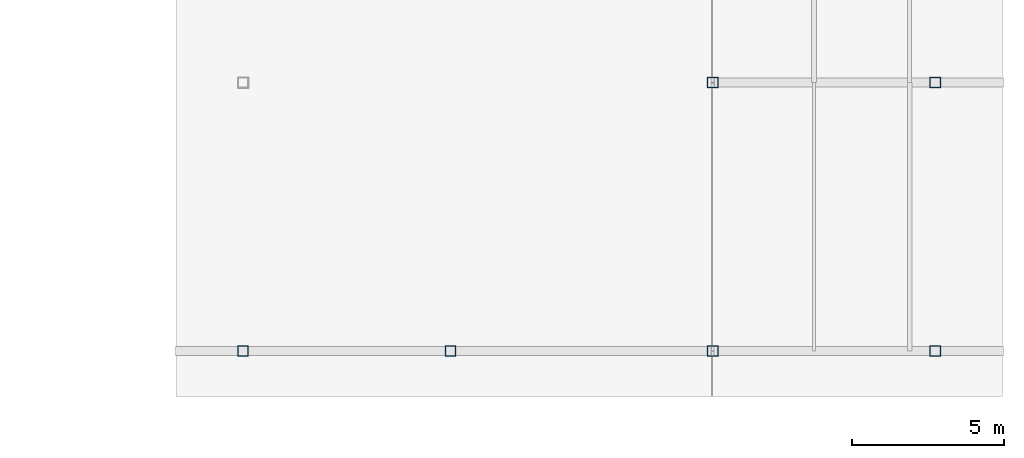
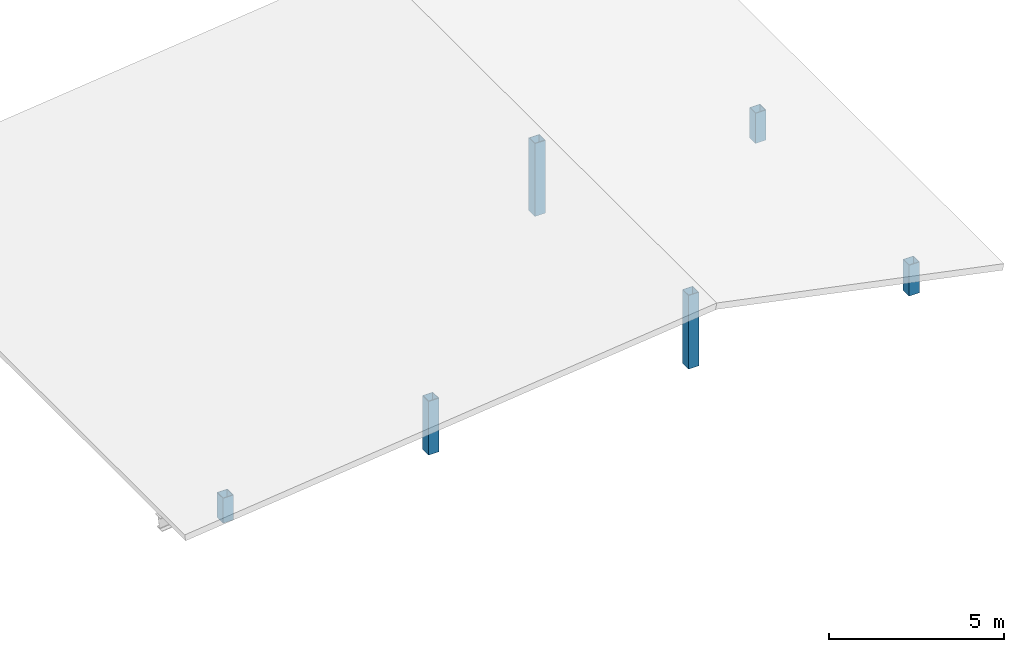
# One storey, part 2 of 27: 6 columns.
"""IFC4 building model written with IfcOpenShell, lengths in metres."""

from ifc_helpers import new_model, si_unit, direction, frame, origin, origin_2d, place, context, subcontext, project, spatial, hollow_rectangle, extrude, material, material_profile, profile_set, type_object, element, save


model = new_model("IFC4")

# Units and contexts
model_context = context("Model", 3, precision=1e-05, world=origin(), true_north=direction((0.0, 1.0)))
body_context = subcontext(model_context, "Body", "Model", "MODEL_VIEW")
ifc_project = project(units=[si_unit("LENGTHUNIT", "METRE"), si_unit("AREAUNIT", "SQUARE_METRE"), si_unit("VOLUMEUNIT", "CUBIC_METRE"), si_unit("PLANEANGLEUNIT", "RADIAN"), si_unit("MASSUNIT", "GRAM", prefix="KILO")], contexts=[model_context])

# Site, building, storey
site_placement = place(None, origin())
site = spatial("IfcSite", under=ifc_project, at=site_placement, CompositionType="ELEMENT")
building_placement = place(site_placement, origin())
building = spatial("IfcBuilding", under=site, at=building_placement, Name="Soyqirgoq Riverine Aquarium", CompositionType="ELEMENT")
storey_placement = place(building_placement, frame((0.0, 0.0, 19.800048828125)))
storey = spatial("IfcBuildingStorey", under=building, at=storey_placement, Name="L05", CompositionType="ELEMENT", Elevation=19.800048828125)

# Columns
ifc_material = material(Name="Structural steel S355", Category="steel")
ifc_material_profile = material_profile(ifc_material, hollow_rectangle(XDim=0.35009765625, YDim=0.35009765625, WallThickness=0.01611328125, at=origin_2d()), Name="SHS 350x350x16")
ifc_profile_set = profile_set([ifc_material_profile], Name="Structural steel S355")
column_type = type_object("IfcColumnType", Name="Col_Steel_SHS350", PredefinedType="COLUMN", material=ifc_profile_set)
column_1_placement = place(storey_placement, frame((122.60009765625, 56.699951171875, -0.260009765625), z_axis=(0.0, 0.0, 1.0), x_axis=(1.0, 0.0, 0.0)))
element("IfcColumn", 1, at=column_1_placement, inside=storey, type_object=column_type, Name="V7 Roof Support Column W01", PredefinedType="COLUMN", context=body_context, shape_type="SweptSolid", body=[
    extrude(hollow_rectangle(XDim=0.35009765625, YDim=0.35009765625, WallThickness=0.01611328125, at=origin_2d()), origin(), (0.0, 0.0, 1.0), 0.873291015625),
])
column_2_placement = place(storey_placement, frame((138.0, 56.699951171875, -0.260009765625), z_axis=(0.0, 0.0, 1.0), x_axis=(1.0, 0.0, 0.0)))
element("IfcColumn", 2, at=column_2_placement, inside=storey, type_object=column_type, Name="V7 Roof Support Column M01", PredefinedType="COLUMN", context=body_context, shape_type="SweptSolid", body=[
    extrude(hollow_rectangle(XDim=0.35009765625, YDim=0.35009765625, WallThickness=0.01611328125, at=origin_2d()), origin(), (0.0, 0.0, 1.0), 2.576416015625),
])
column_3_placement = place(storey_placement, frame((145.300048828125, 56.699951171875, -0.260009765625), z_axis=(0.0, 0.0, 1.0), x_axis=(1.0, 0.0, 0.0)))
element("IfcColumn", 3, at=column_3_placement, inside=storey, type_object=column_type, Name="V7 Roof Support Column E01", PredefinedType="COLUMN", context=body_context, shape_type="SweptSolid", body=[
    extrude(hollow_rectangle(XDim=0.35009765625, YDim=0.35009765625, WallThickness=0.01611328125, at=origin_2d()), origin(), (0.0, 0.0, 1.0), 1.077880859375),
])
column_4_placement = place(storey_placement, frame((138.0, 65.5, -0.260009765625), z_axis=(0.0, 0.0, 1.0), x_axis=(1.0, 0.0, 0.0)))
element("IfcColumn", 4, at=column_4_placement, inside=storey, type_object=column_type, Name="V7 Roof Support Column M02", PredefinedType="COLUMN", context=body_context, shape_type="SweptSolid", body=[
    extrude(hollow_rectangle(XDim=0.35009765625, YDim=0.35009765625, WallThickness=0.01611328125, at=origin_2d()), origin(), (0.0, 0.0, 1.0), 2.55126953125),
])
column_5_placement = place(storey_placement, frame((145.300048828125, 65.5, -0.260009765625), z_axis=(0.0, 0.0, 1.0), x_axis=(1.0, 0.0, 0.0)))
element("IfcColumn", 5, at=column_5_placement, inside=storey, type_object=column_type, Name="V7 Roof Support Column E02", PredefinedType="COLUMN", context=body_context, shape_type="SweptSolid", body=[
    extrude(hollow_rectangle(XDim=0.35009765625, YDim=0.35009765625, WallThickness=0.01611328125, at=origin_2d()), origin(), (0.0, 0.0, 1.0), 1.052978515625),
])
column_6_placement = place(storey_placement, frame((129.39990234375, 56.699951171875, -0.260009765625), z_axis=(0.0, 0.0, 1.0), x_axis=(1.0, 0.0, 0.0)))
element("IfcColumn", 6, at=column_6_placement, inside=storey, type_object=column_type, Name="V7 Roof Support Column V7-C-15", PredefinedType="COLUMN", context=body_context, shape_type="SweptSolid", body=[
    extrude(hollow_rectangle(XDim=0.35009765625, YDim=0.35009765625, WallThickness=0.01611328125, at=origin_2d()), origin(), (0.0, 0.0, 1.0), 1.880859375),
])

save(model, "model.ifc")
